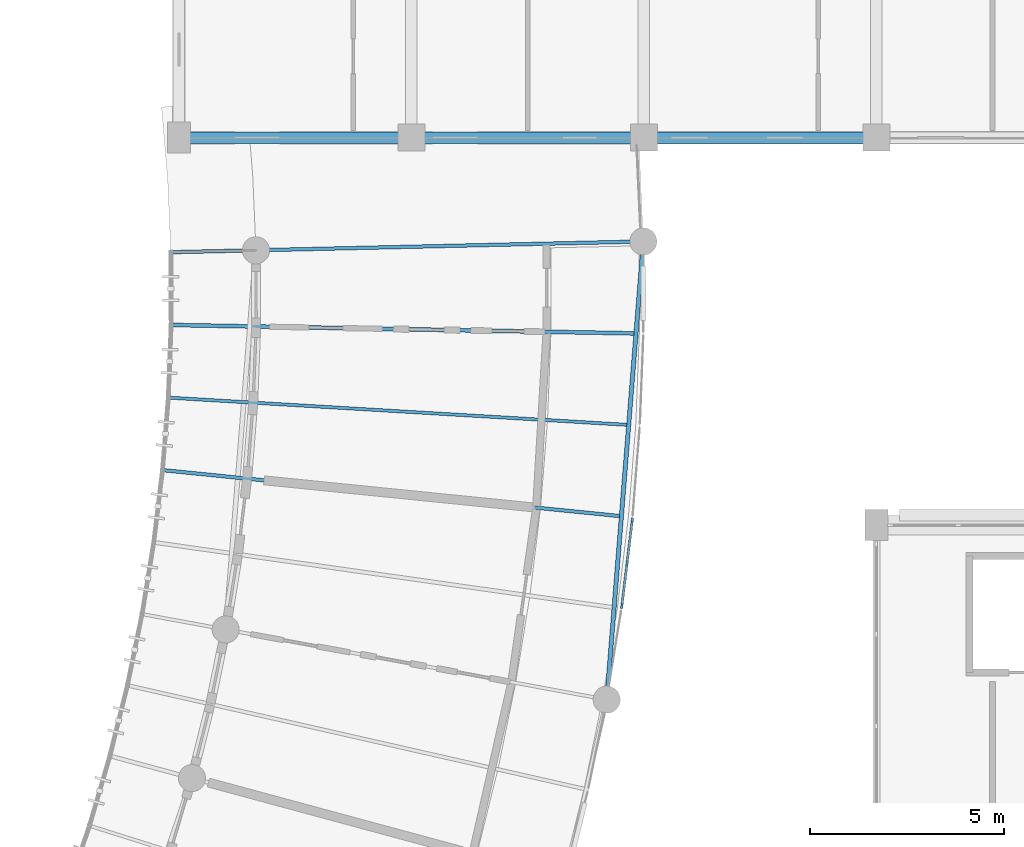
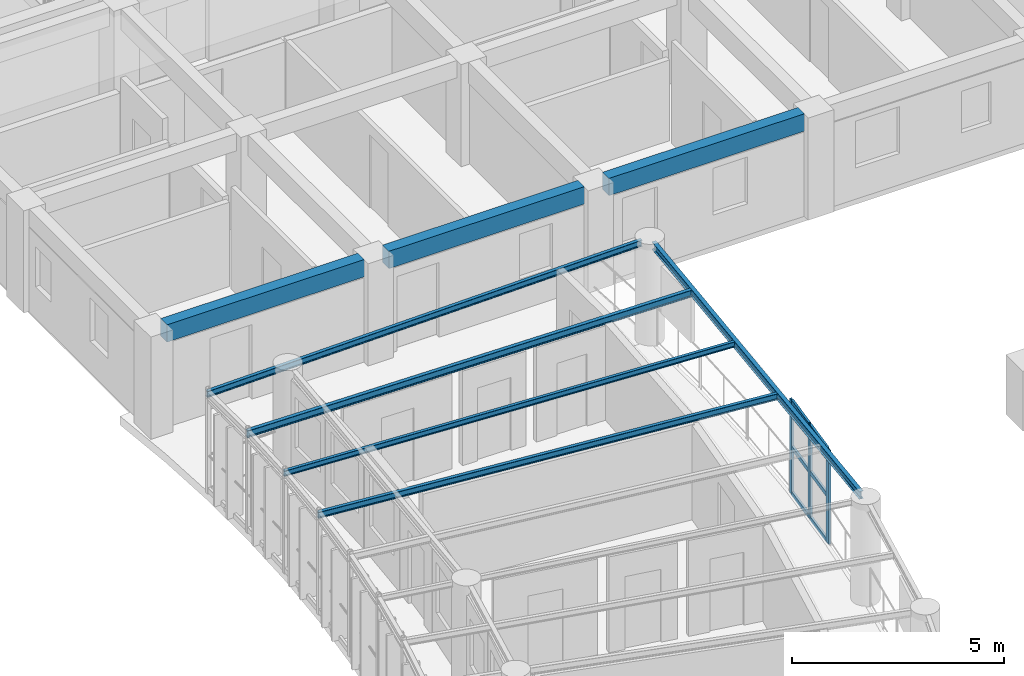
# One storey, part 40 of 137: 9 members, 8 beams, 1 element without a shape of its own.
"""IFC4 building model written with IfcOpenShell, lengths in metres."""

from ifc_helpers import new_model, si_unit, direction, frame, origin, origin_2d, place, context, subcontext, project, spatial, rectangle, i_section, extrude, material, layer, layer_set, material_profile, profile_set, type_object, element, aggregate, save


model = new_model("IFC4")

# Units and contexts
model_context = context("Model", 3, precision=1e-05, world=origin(), true_north=direction((0.0, 1.0)))
body_context = subcontext(model_context, "Body", "Model", "MODEL_VIEW")
ifc_project = project(units=[si_unit("LENGTHUNIT", "METRE"), si_unit("AREAUNIT", "SQUARE_METRE"), si_unit("VOLUMEUNIT", "CUBIC_METRE"), si_unit("PLANEANGLEUNIT", "RADIAN"), si_unit("MASSUNIT", "GRAM", prefix="KILO"), si_unit("POWERUNIT", "WATT"), si_unit("THERMODYNAMICTEMPERATUREUNIT", "KELVIN")], contexts=[model_context])

# Site, building, storey
site_placement = place(None, origin())
site = spatial("IfcSite", under=ifc_project, at=site_placement, CompositionType="ELEMENT")
building_placement = place(site_placement, origin())
building = spatial("IfcBuilding", under=site, at=building_placement, Name="Ruvembo Vaulted Housing Court", CompositionType="ELEMENT")
storey_placement = place(building_placement, frame((0.0, 0.0, 4.5)))
storey = spatial("IfcBuildingStorey", under=building, at=storey_placement, Name="L01", CompositionType="ELEMENT", Elevation=4.5)

# Beams
ifc_material_1 = material(Name="Steel S355J2", Category="steel")
ifc_material_profile_1 = material_profile(ifc_material_1, i_section(OverallWidth=0.08203125, OverallDepth=0.159912109375, WebThickness=0.0048828125, FlangeThickness=0.00732421875, FilletRadius=0.009033203125, at=origin_2d()), Name="IPE 160")
ifc_profile_set_1 = profile_set([ifc_material_profile_1], Name="Steel S355J2")
beam_type_1 = type_object("IfcBeamType", Name="BM-ST-IPE160", PredefinedType="JOIST", material=ifc_profile_set_1)
beam_1_placement = place(storey_placement, frame((59.55712890625, 70.589111328125, 2.860107421875), z_axis=(-0.99824745237, 0.059177899908, 0.0), x_axis=(-0.059177899908, -0.99824745237, 0.0)))
element("IfcBeam", 1, at=beam_1_placement, inside=storey, type_object=beam_type_1, Name="Scoop SC1 L01 Radial Steel Joist 17", PredefinedType="JOIST", context=body_context, shape_type="SweptSolid", body=[
    extrude(i_section(OverallWidth=0.08203125, OverallDepth=0.159912109375, WebThickness=0.0048828125, FlangeThickness=0.00732421875, FilletRadius=0.009033203125, at=origin_2d()), origin(), (0.0, 0.0, 1.0), 11.89794921875),
])
ifc_material_profile_2 = material_profile(ifc_material_1, i_section(OverallWidth=0.091064453125, OverallDepth=0.179931640625, WebThickness=0.00537109375, FlangeThickness=0.008056640625, FilletRadius=0.009033203125, at=origin_2d()), Name="IPE 180")
ifc_profile_set_2 = profile_set([ifc_material_profile_2], Name="Steel S355J2")
beam_type_2 = type_object("IfcBeamType", Name="BM-ST-IPE180", PredefinedType="JOIST", material=ifc_profile_set_2)
beam_2_placement = place(storey_placement, frame((59.368896484375, 68.234130859375, 2.85009765625), z_axis=(-0.994986269959, 0.100011612287, 0.0), x_axis=(-0.100011612287, -0.994986269959, 0.0)))
element("IfcBeam", 2, at=beam_2_placement, inside=storey, type_object=beam_type_2, Name="Scoop SC1 L01 Radial Steel Joist 16", PredefinedType="JOIST", context=body_context, shape_type="SweptSolid", body=[
    extrude(i_section(OverallWidth=0.091064453125, OverallDepth=0.179931640625, WebThickness=0.00537109375, FlangeThickness=0.008056640625, FilletRadius=0.009033203125, at=origin_2d()), origin(), (0.0, 0.0, 1.0), 11.89794921875),
])
beam_3_placement = place(storey_placement, frame((59.755126953125, 75.315185546875, 2.85009765625), z_axis=(-0.999740795547, -0.022767119233, 0.0), x_axis=(0.022767119233, -0.999740795547, 0.0)))
element("IfcBeam", 3, at=beam_3_placement, inside=storey, type_object=beam_type_2, Name="Scoop SC1 L01 Radial Steel Joist 19", PredefinedType="JOIST", context=body_context, shape_type="SweptSolid", body=[
    extrude(i_section(OverallWidth=0.091064453125, OverallDepth=0.179931640625, WebThickness=0.00537109375, FlangeThickness=0.008056640625, FilletRadius=0.009033203125, at=origin_2d()), origin(), (0.0, 0.0, 1.0), 12.01025390625),
])
ifc_material_profile_3 = material_profile(ifc_material_1, i_section(OverallWidth=0.10009765625, OverallDepth=0.199951171875, WebThickness=0.005615234375, FlangeThickness=0.008544921875, FilletRadius=0.011962890625, at=origin_2d()), Name="IPE 200")
ifc_profile_set_3 = profile_set([ifc_material_profile_3], Name="Steel S355J2")
beam_type_3 = type_object("IfcBeamType", Name="BM-ST-IPE200", PredefinedType="BEAM", material=ifc_profile_set_3)
beam_4_placement = place(storey_placement, frame((59.74560546875, 72.9482421875, 2.840087890625), z_axis=(-0.999834442166, 0.018195830781, 0.0), x_axis=(-0.018195830781, -0.999834442166, 0.0)))
element("IfcBeam", 4, at=beam_4_placement, inside=storey, type_object=beam_type_3, Name="Scoop SC1 L01 Radial Steel Joist 18", PredefinedType="BEAM", context=body_context, shape_type="SweptSolid", body=[
    extrude(i_section(OverallWidth=0.10009765625, OverallDepth=0.199951171875, WebThickness=0.005615234375, FlangeThickness=0.008544921875, FilletRadius=0.011962890625, at=origin_2d()), origin(), (0.0, 0.0, 1.0), 11.9951171875),
])
ifc_material_profile_4 = material_profile(ifc_material_1, i_section(OverallWidth=0.110107421875, OverallDepth=0.219970703125, WebThickness=0.005859375, FlangeThickness=0.00927734375, FilletRadius=0.011962890625, at=origin_2d()), Name="IPE 220")
ifc_profile_set_4 = profile_set([ifc_material_profile_4], Name="Steel S355J2")
beam_type_4 = type_object("IfcBeamType", Name="BM-ST-IPE220", PredefinedType="SPANDREL", material=ifc_profile_set_4)
beam_5_placement = place(storey_placement, frame((59.05908203125, 63.724609375, 2.83203125), z_axis=(0.079605659313, 0.996826433741, 0.0), x_axis=(-0.996826433741, 0.079605659313, 0.0)))
element("IfcBeam", 5, at=beam_5_placement, inside=storey, type_object=beam_type_4, Name="Scoop SC1 L01 Chord Girder B14", PredefinedType="SPANDREL", context=body_context, shape_type="SweptSolid", body=[
    extrude(i_section(OverallWidth=0.110107421875, OverallDepth=0.219970703125, WebThickness=0.005859375, FlangeThickness=0.00927734375, FilletRadius=0.011962890625, at=origin_2d()), origin(), (0.0, 0.0, 1.0), 11.402587890625),
])

# Curtain wall, members
ifc_material_2 = material(Name="Anodised Aluminium and Solar-Control Glass", Category="aluminium")
ifc_layer = layer(ifc_material_2, 0.1201171875, Name="Anodised Aluminium and Solar-Control Glass")
ifc_layer_set = layer_set([ifc_layer], Name="Anodised Aluminium and Solar-Control Glass")
curtain_wall_type = type_object("IfcCurtainWallType", Name="CW-SCOOP-GAL", PredefinedType="NOTDEFINED", material=ifc_layer_set)
curtain_wall_placement = place(storey_placement, origin())
curtain_wall = element("IfcCurtainWall", 6, at=curtain_wall_placement, inside=storey, type_object=curtain_wall_type, Name="L01 Curtain Wall CW-L01-0012", PredefinedType="NOTDEFINED")
ifc_material_3 = material(Name="Anodised Aluminium 6063-T6", Category="aluminium")
ifc_material_profile_5 = material_profile(ifc_material_3, rectangle(XDim=0.06005859375, YDim=0.139892578125, at=origin_2d()), Name="ALU 60x140")
ifc_profile_set_5 = profile_set([ifc_material_profile_5], Name="Anodised Aluminium 6063-T6")
member_type_1 = type_object("IfcMemberType", Name="CW-MUL-60x140", PredefinedType="MULLION", material=ifc_profile_set_5)
member_1_placement = place(storey_placement, frame((59.432861328125, 65.920166015625, 0.0), z_axis=(0.0, 0.0, 1.0), x_axis=(-0.992725352187, 0.12040089337, 0.0)))
member_1 = element("IfcMember", 7, at=member_1_placement, type_object=member_type_1, Name="CW6 mullion 1", PredefinedType="MULLION", context=body_context, shape_type="SweptSolid", body=[
    extrude(rectangle(XDim=0.06005859375, YDim=0.139892578125, at=origin_2d()), origin(), (0.0, 0.0, 1.0), 2.697998046875),
])
member_2_placement = place(storey_placement, frame((59.566162109375, 67.0205078125, 0.0), z_axis=(0.0, 0.0, 1.0), x_axis=(-0.992725352187, 0.12040089337, 0.0)))
member_2 = element("IfcMember", 8, at=member_2_placement, type_object=member_type_1, Name="CW6 mullion 2", PredefinedType="MULLION", context=body_context, shape_type="SweptSolid", body=[
    extrude(rectangle(XDim=0.06005859375, YDim=0.139892578125, at=origin_2d()), origin(), (0.0, 0.0, 1.0), 2.697998046875),
])
member_3_placement = place(storey_placement, frame((59.69970703125, 68.12060546875, 0.0), z_axis=(0.0, 0.0, 1.0), x_axis=(-0.992725352187, 0.12040089337, 0.0)))
member_3 = element("IfcMember", 9, at=member_3_placement, type_object=member_type_1, Name="CW6 mullion 3", PredefinedType="MULLION", context=body_context, shape_type="SweptSolid", body=[
    extrude(rectangle(XDim=0.06005859375, YDim=0.139892578125, at=origin_2d()), origin(), (0.0, 0.0, 1.0), 2.697998046875),
])
ifc_material_profile_6 = material_profile(ifc_material_3, rectangle(XDim=0.06005859375, YDim=0.1201171875, at=origin_2d()), Name="ALU 60x120")
ifc_profile_set_6 = profile_set([ifc_material_profile_6], Name="Anodised Aluminium 6063-T6")
member_type_2 = type_object("IfcMemberType", Name="CW-TRANSOM-65x120", PredefinedType="USERDEFINED", material=ifc_profile_set_6)
member_4_placement = place(storey_placement, frame((59.4365234375, 65.949951171875, 0.030029296875), z_axis=(0.120393957765, 0.992726193335, 0.0), x_axis=(-0.992726193335, 0.120393957765, 0.0)))
member_4 = element("IfcMember", 10, at=member_4_placement, type_object=member_type_2, Name="CW6 transom 1.1", ObjectType="TRANSOM", PredefinedType="USERDEFINED", context=body_context, shape_type="SweptSolid", body=[
    extrude(rectangle(XDim=0.06005859375, YDim=0.1201171875, at=origin_2d()), origin(), (0.0, 0.0, 1.0), 1.04833984375),
])
member_5_placement = place(storey_placement, frame((59.4365234375, 65.949951171875, 1.34912109375), z_axis=(0.120393957765, 0.992726193335, 0.0), x_axis=(-0.992726193335, 0.120393957765, 0.0)))
member_5 = element("IfcMember", 11, at=member_5_placement, type_object=member_type_2, Name="CW6 transom 1.2", ObjectType="TRANSOM", PredefinedType="USERDEFINED", context=body_context, shape_type="SweptSolid", body=[
    extrude(rectangle(XDim=0.06005859375, YDim=0.1201171875, at=origin_2d()), origin(), (0.0, 0.0, 1.0), 1.04833984375),
])
member_6_placement = place(storey_placement, frame((59.4365234375, 65.949951171875, 2.66796875), z_axis=(0.120393957765, 0.992726193335, 0.0), x_axis=(-0.992726193335, 0.120393957765, 0.0)))
member_6 = element("IfcMember", 12, at=member_6_placement, type_object=member_type_2, Name="CW6 transom 1.3", ObjectType="TRANSOM", PredefinedType="USERDEFINED", context=body_context, shape_type="SweptSolid", body=[
    extrude(rectangle(XDim=0.06005859375, YDim=0.1201171875, at=origin_2d()), origin(), (0.0, 0.0, 1.0), 1.04833984375),
])
member_7_placement = place(storey_placement, frame((59.56982421875, 67.05029296875, 0.030029296875), z_axis=(0.120421796404, 0.992722816778, 0.0), x_axis=(-0.992722816778, 0.120421796404, 0.0)))
member_7 = element("IfcMember", 13, at=member_7_placement, type_object=member_type_2, Name="CW6 transom 2.1", ObjectType="TRANSOM", PredefinedType="USERDEFINED", context=body_context, shape_type="SweptSolid", body=[
    extrude(rectangle(XDim=0.06005859375, YDim=0.1201171875, at=origin_2d()), origin(), (0.0, 0.0, 1.0), 1.048095703125),
])
member_8_placement = place(storey_placement, frame((59.56982421875, 67.05029296875, 1.34912109375), z_axis=(0.120421796404, 0.992722816778, 0.0), x_axis=(-0.992722816778, 0.120421796404, 0.0)))
member_8 = element("IfcMember", 14, at=member_8_placement, type_object=member_type_2, Name="CW6 transom 2.2", ObjectType="TRANSOM", PredefinedType="USERDEFINED", context=body_context, shape_type="SweptSolid", body=[
    extrude(rectangle(XDim=0.06005859375, YDim=0.1201171875, at=origin_2d()), origin(), (0.0, 0.0, 1.0), 1.048095703125),
])
member_9_placement = place(storey_placement, frame((59.56982421875, 67.05029296875, 2.66796875), z_axis=(0.120421796404, 0.992722816778, 0.0), x_axis=(-0.992722816778, 0.120421796404, 0.0)))
member_9 = element("IfcMember", 15, at=member_9_placement, type_object=member_type_2, Name="CW6 transom 2.3", ObjectType="TRANSOM", PredefinedType="USERDEFINED", context=body_context, shape_type="SweptSolid", body=[
    extrude(rectangle(XDim=0.06005859375, YDim=0.1201171875, at=origin_2d()), origin(), (0.0, 0.0, 1.0), 1.048095703125),
])
aggregate(curtain_wall, [member_1, member_2, member_3, member_4, member_5, member_6, member_7, member_8, member_9])

# Beams
ifc_material_4 = material(Name="Concrete C35/45", Category="concrete")
ifc_material_profile_7 = material_profile(ifc_material_4, rectangle(XDim=0.300048828125, YDim=0.5, at=origin_2d()), Name="RC 300x500")
ifc_profile_set_7 = profile_set([ifc_material_profile_7], Name="Concrete C35/45")
beam_type_5 = type_object("IfcBeamType", Name="SP-RC-300x500", PredefinedType="SPANDREL", material=ifc_profile_set_7)
beam_6_placement = place(storey_placement, frame((48.284912109375, 78.0, 2.695068359375), z_axis=(1.0, 0.0, 0.0), x_axis=(0.0, 1.0, 0.0)))
element("IfcBeam", 16, at=beam_6_placement, inside=storey, type_object=beam_type_5, Name="L01 Grid Beam X #1234", PredefinedType="SPANDREL", context=body_context, shape_type="SweptSolid", body=[
    extrude(rectangle(XDim=0.300048828125, YDim=0.5, at=origin_2d()), origin(), (0.0, 0.0, 1.0), 5.380126953125),
])
for number, where, z_axis, x_axis, name in (
    (17, (54.3349609375, 78.0, 2.695068359375), (1.0, 0.0, 0.0), (0.0, 1.0, 0.0), "L01 Grid Beam X #1235"),
    (18, (60.3349609375, 78.0, 2.695068359375), (1.0, 0.0, 0.0), (0.0, 1.0, 0.0), "L01 Grid Beam X #1236"),
):
    element("IfcBeam", number, at=place(storey_placement, frame(where, z_axis=z_axis, x_axis=x_axis)), inside=storey, type_object=beam_type_5, Name=name, PredefinedType="SPANDREL", context=body_context, shape_type="SweptSolid", body=[
        extrude(rectangle(XDim=0.300048828125, YDim=0.5, at=origin_2d()), origin(), (0.0, 0.0, 1.0), 5.330078125),
    ])

save(model, "model.ifc")
